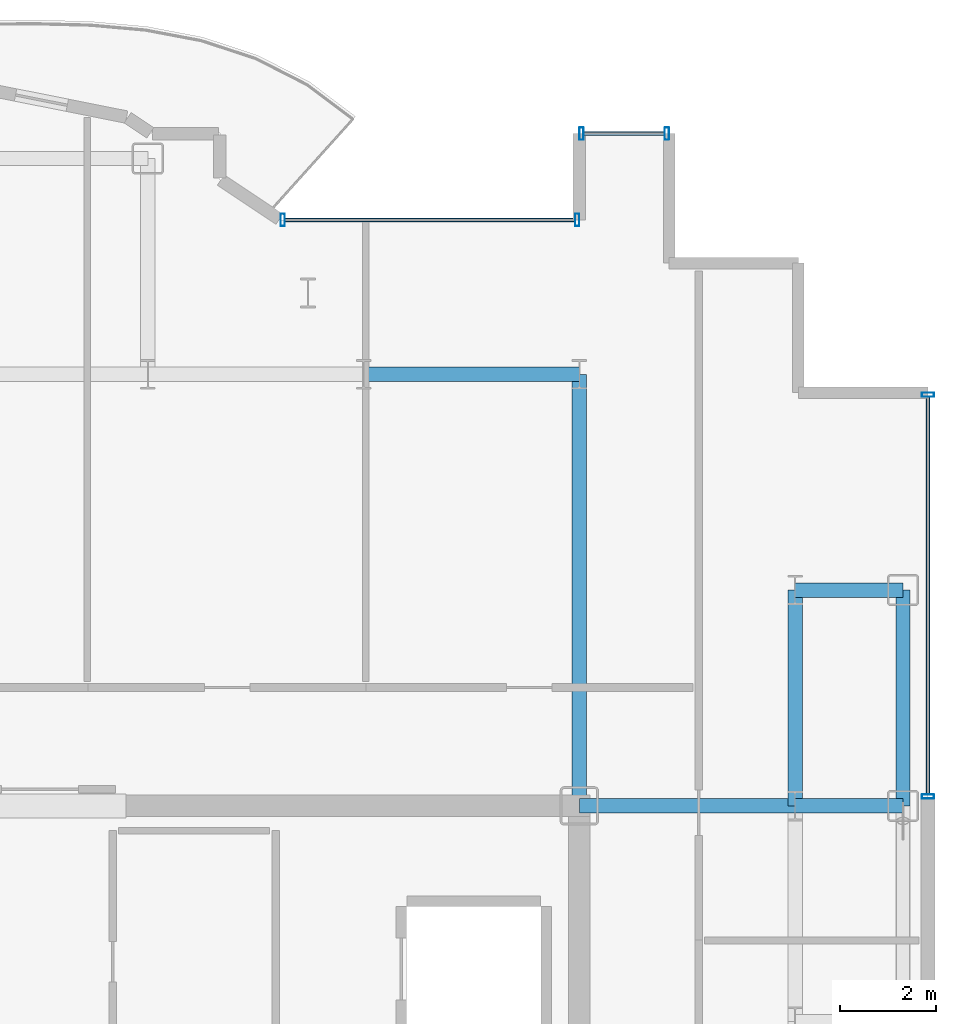
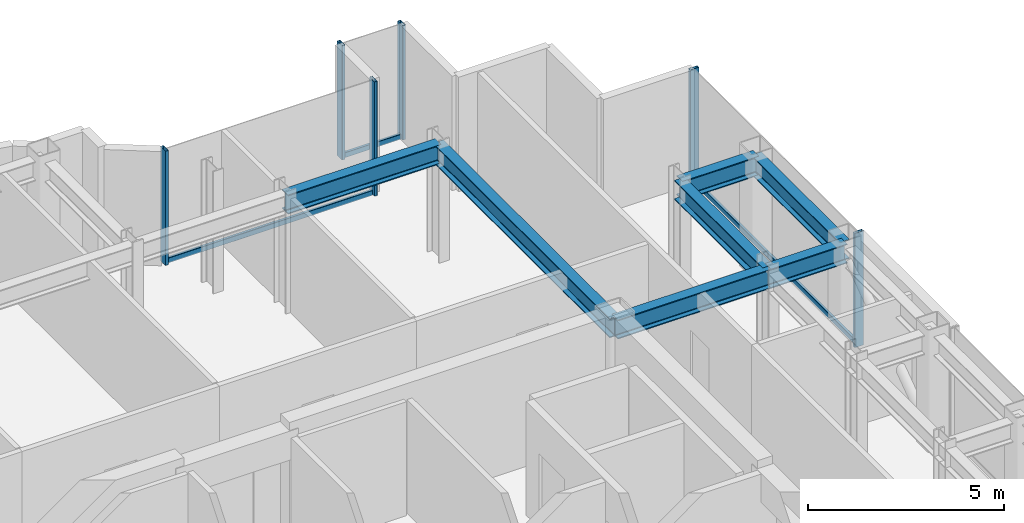
# One storey, part 9 of 16: 9 members, 7 beams, 3 elements without a shape of their own.
"""IFC4 building model written with IfcOpenShell, lengths in metres."""

from ifc_helpers import new_model, si_unit, direction, frame, origin, origin_2d, place, context, subcontext, project, spatial, hollow_rectangle, i_section, extrude, source, transform, mapped, material, layer, layer_set, material_profile, profile_set, type_object, element, aggregate, save


model = new_model("IFC4")

# Units and contexts
model_context = context("Model", 3, precision=1e-05, world=origin(), true_north=direction((0.0, 1.0)))
body_context = subcontext(model_context, "Body", "Model", "MODEL_VIEW")
ifc_project = project(units=[si_unit("LENGTHUNIT", "METRE"), si_unit("AREAUNIT", "SQUARE_METRE"), si_unit("VOLUMEUNIT", "CUBIC_METRE"), si_unit("PLANEANGLEUNIT", "RADIAN"), si_unit("MASSUNIT", "GRAM", prefix="KILO")], contexts=[model_context])

# Site, building, storey
site_placement = place(None, origin())
site = spatial("IfcSite", under=ifc_project, at=site_placement, CompositionType="ELEMENT")
building_placement = place(site_placement, origin())
building = spatial("IfcBuilding", under=site, at=building_placement, Name="Nefas-Gora Pilgrimage Tower", CompositionType="ELEMENT")
storey_placement = place(building_placement, frame((0.0, 0.0, 276.0)))
storey = spatial("IfcBuildingStorey", under=building, at=storey_placement, Name="L69", CompositionType="ELEMENT", Elevation=276.0)

# Beams
ifc_material_1 = material(Name="Steel S355", Category="steel")
ifc_material_profile_1 = material_profile(ifc_material_1, i_section(OverallWidth=0.300048828125, OverallDepth=0.60009765625, WebThickness=0.015380859375, FlangeThickness=0.030029296875, FilletRadius=0.027099609375, at=origin_2d()), Name="HEB 600")
ifc_profile_set_1 = profile_set([ifc_material_profile_1], Name="Steel S355")
beam_type_1 = type_object("IfcBeamType", Name="BM-SPN-HEB450", PredefinedType="SPANDREL", material=ifc_profile_set_1)
shared_shape_1 = source(origin(), body_context, "Body", "SweptSolid", [
    extrude(i_section(OverallWidth=0.300048828125, OverallDepth=0.60009765625, WebThickness=0.015380859375, FlangeThickness=0.030029296875, FilletRadius=0.027099609375, at=origin_2d()), origin(), (0.0, 0.0, 1.0), 4.5),
])
beam_1_placement = place(storey_placement, frame((18.0, 9.0, 3.25), z_axis=(0.0, 1.0, 0.0), x_axis=(-1.0, 0.0, 0.0)))
element("IfcBeam", 1, at=beam_1_placement, inside=storey, type_object=beam_type_1, Name="L69 SP-03 beam", PredefinedType="SPANDREL", context=body_context, shape_type="MappedRepresentation", body=[
    mapped(shared_shape_1, transform((0.0, 0.0, 0.0), x_axis=(1.0, 0.0, 0.0), y_axis=(0.0, 1.0, 0.0), z_axis=(0.0, 0.0, 1.0), scale=1.0)),
])
ifc_material_profile_2 = material_profile(ifc_material_1, i_section(OverallWidth=0.300048828125, OverallDepth=0.60009765625, WebThickness=0.015380859375, FlangeThickness=0.030029296875, FilletRadius=0.027099609375, at=origin_2d()), Name="HEB 600")
ifc_profile_set_2 = profile_set([ifc_material_profile_2], Name="Steel S355")
beam_type_2 = type_object("IfcBeamType", Name="BM-GIR-HEB600", PredefinedType="BEAM", material=ifc_profile_set_2)
shared_shape_2 = source(origin(), body_context, "Body", "SweptSolid", [
    extrude(i_section(OverallWidth=0.300048828125, OverallDepth=0.60009765625, WebThickness=0.015380859375, FlangeThickness=0.030029296875, FilletRadius=0.027099609375, at=origin_2d()), origin(), (0.0, 0.0, 1.0), 9.0),
])
beam_2_placement = place(storey_placement, frame((11.25, 9.0, 3.25), z_axis=(0.0, 1.0, 0.0), x_axis=(-1.0, 0.0, 0.0)))
element("IfcBeam", 2, at=beam_2_placement, inside=storey, type_object=beam_type_2, Name="L69 G-04 beam", PredefinedType="BEAM", context=body_context, shape_type="MappedRepresentation", body=[
    mapped(shared_shape_2, transform((0.0, 0.0, 0.0), x_axis=(1.0, 0.0, 0.0), y_axis=(0.0, 1.0, 0.0), z_axis=(0.0, 0.0, 1.0), scale=1.0)),
])
shared_shape_3 = source(origin(), body_context, "Body", "SweptSolid", [
    extrude(i_section(OverallWidth=0.300048828125, OverallDepth=0.60009765625, WebThickness=0.015380859375, FlangeThickness=0.030029296875, FilletRadius=0.027099609375, at=origin_2d()), origin(), (0.0, 0.0, 1.0), 4.5),
])
for number, where, z_axis, x_axis, name in (
    (3, (6.75, 18.0, 3.25), (1.0, 0.0, 0.0), (0.0, 1.0, 0.0), "L69 G-04 beam"),
    (4, (11.25, 9.0, 3.25), (1.0, 0.0, 0.0), (0.0, 1.0, 0.0), "L69 G-04 beam"),
    (5, (15.75, 9.0, 3.25), (0.0, 1.0, 0.0), (-1.0, 0.0, 0.0), "L69 G-04 beam"),
):
    element("IfcBeam", number, at=place(storey_placement, frame(where, z_axis=z_axis, x_axis=x_axis)), inside=storey, type_object=beam_type_2, Name=name, PredefinedType="BEAM", context=body_context, shape_type="MappedRepresentation", body=[
        mapped(shared_shape_3, transform((0.0, 0.0, 0.0), x_axis=(1.0, 0.0, 0.0), y_axis=(0.0, 1.0, 0.0), z_axis=(0.0, 0.0, 1.0), scale=1.0)),
    ])
shared_shape_4 = source(origin(), body_context, "Body", "SweptSolid", [
    extrude(i_section(OverallWidth=0.300048828125, OverallDepth=0.60009765625, WebThickness=0.015380859375, FlangeThickness=0.030029296875, FilletRadius=0.027099609375, at=origin_2d()), origin(), (0.0, 0.0, 1.0), 2.25),
])
for number, where, z_axis, x_axis, name in (
    (6, (15.75, 9.0, 3.25), (1.0, 0.0, 0.0), (0.0, 1.0, 0.0), "L69 G-04 beam"),
    (7, (15.75, 13.5, 3.25), (1.0, 0.0, 0.0), (0.0, 1.0, 0.0), "L69 G-04 beam"),
):
    element("IfcBeam", number, at=place(storey_placement, frame(where, z_axis=z_axis, x_axis=x_axis)), inside=storey, type_object=beam_type_2, Name=name, PredefinedType="BEAM", context=body_context, shape_type="MappedRepresentation", body=[
        mapped(shared_shape_4, transform((0.0, 0.0, 0.0), x_axis=(1.0, 0.0, 0.0), y_axis=(0.0, 1.0, 0.0), z_axis=(0.0, 0.0, 1.0), scale=1.0)),
    ])

# Curtain wall, members
ifc_material_2 = material(Name="Dark ceramic-fritted solar-control aluminium-glass curtain wall", Category="aluminium")
ifc_layer_1 = layer(ifc_material_2, 0.219970703125)
ifc_layer_set_1 = layer_set([ifc_layer_1], Name="Dark ceramic-fritted solar-control aluminium-glass curtain wall")
curtain_wall_type_1 = type_object("IfcCurtainWallType", Name="CW-SYS-5", PredefinedType="NOTDEFINED", material=ifc_layer_set_1)
curtain_wall_1_placement = place(storey_placement, origin())
curtain_wall_1 = element("IfcCurtainWall", 8, at=curtain_wall_1_placement, inside=storey, type_object=curtain_wall_type_1, Name="L69 Unitised Curtain Wall CW5", PredefinedType="NOTDEFINED")
ifc_material_3 = material(Name="Anodised architectural aluminium", Category="aluminium")
ifc_material_profile_3 = material_profile(ifc_material_3, hollow_rectangle(XDim=0.090087890625, YDim=0.260009765625, WallThickness=0.006103515625, InnerFilletRadius=0.006103515625, OuterFilletRadius=0.011962890625, at=origin_2d()), Name="ALU MULLION 90x260")
ifc_profile_set_3 = profile_set([ifc_material_profile_3], Name="Anodised architectural aluminium")
member_type_1 = type_object("IfcMemberType", Name="CWM-MUL-5", PredefinedType="MULLION", material=ifc_profile_set_3)
shared_shape_5 = source(origin(), body_context, "Body", "SweptSolid", [
    extrude(hollow_rectangle(XDim=0.090087890625, YDim=0.260009765625, WallThickness=0.006103515625, InnerFilletRadius=0.006103515625, OuterFilletRadius=0.011962890625, at=origin_2d()), origin(), (0.0, 0.0, 1.0), 3.550048828125),
])
member_1_placement = place(storey_placement, frame((11.205078125, 21.219970703125, 0.0), z_axis=(0.0, 0.0, 1.0), x_axis=(-1.0, 0.0, 0.0)))
member_1 = element("IfcMember", 9, at=member_1_placement, type_object=member_type_1, Name="CW5 Mullion 1", PredefinedType="MULLION", context=body_context, shape_type="MappedRepresentation", body=[
    mapped(shared_shape_5, transform((0.0, 0.0, 0.0), x_axis=(1.0, 0.0, 0.0), y_axis=(0.0, 1.0, 0.0), z_axis=(0.0, 0.0, 1.0), scale=1.0)),
])
member_2_placement = place(storey_placement, frame((5.06298828125, 21.219970703125, 0.0), z_axis=(0.0, 0.0, 1.0), x_axis=(-1.0, 0.0, 0.0)))
member_2 = element("IfcMember", 10, at=member_2_placement, type_object=member_type_1, Name="CW5 Mullion 2", PredefinedType="MULLION", context=body_context, shape_type="MappedRepresentation", body=[
    mapped(shared_shape_5, transform((0.0, 0.0, 0.0), x_axis=(1.0, 0.0, 0.0), y_axis=(0.0, 1.0, 0.0), z_axis=(0.0, 0.0, 1.0), scale=1.0)),
])
ifc_material_profile_4 = material_profile(ifc_material_3, hollow_rectangle(XDim=0.080078125, YDim=0.159912109375, WallThickness=0.00439453125, InnerFilletRadius=0.00439453125, OuterFilletRadius=0.009033203125, at=origin_2d()), Name="ALU TRANSOM 80x160")
ifc_profile_set_4 = profile_set([ifc_material_profile_4], Name="Anodised architectural aluminium")
member_type_2 = type_object("IfcMemberType", Name="CWM-TRN-5", PredefinedType="USERDEFINED", material=ifc_profile_set_4)
shared_shape_6 = source(origin(), body_context, "Body", "SweptSolid", [
    extrude(hollow_rectangle(XDim=0.080078125, YDim=0.159912109375, WallThickness=0.00439453125, InnerFilletRadius=0.00439453125, OuterFilletRadius=0.009033203125, at=origin_2d()), origin(), (0.0, 0.0, 1.0), 6.052001953125),
])
member_3_placement = place(storey_placement, frame((11.159912109375, 21.219970703125, 0.050048828125), z_axis=(-1.0, 0.0, 0.0), x_axis=(0.0, -1.0, 0.0)))
member_3 = element("IfcMember", 11, at=member_3_placement, type_object=member_type_2, Name="CW5 Spandrel Transom", ObjectType="TRANSOM", PredefinedType="USERDEFINED", context=body_context, shape_type="MappedRepresentation", body=[
    mapped(shared_shape_6, transform((0.0, 0.0, 0.0), x_axis=(1.0, 0.0, 0.0), y_axis=(0.0, 1.0, 0.0), z_axis=(0.0, 0.0, 1.0), scale=1.0)),
])
aggregate(curtain_wall_1, [member_1, member_2, member_3])

# Curtain wall, member
ifc_layer_2 = layer(ifc_material_2, 0.219970703125)
ifc_layer_set_2 = layer_set([ifc_layer_2], Name="Dark ceramic-fritted solar-control aluminium-glass curtain wall")
curtain_wall_type_2 = type_object("IfcCurtainWallType", Name="CW-SYS-4", PredefinedType="NOTDEFINED", material=ifc_layer_set_2)
curtain_wall_2_placement = place(storey_placement, origin())
curtain_wall_2 = element("IfcCurtainWall", 12, at=curtain_wall_2_placement, inside=storey, type_object=curtain_wall_type_2, Name="L69 Unitised Curtain Wall CW4", PredefinedType="NOTDEFINED")
ifc_material_profile_5 = material_profile(ifc_material_3, hollow_rectangle(XDim=0.080078125, YDim=0.159912109375, WallThickness=0.00439453125, InnerFilletRadius=0.00439453125, OuterFilletRadius=0.009033203125, at=origin_2d()), Name="ALU TRANSOM 80x160")
ifc_profile_set_5 = profile_set([ifc_material_profile_5], Name="Anodised architectural aluminium")
member_type_3 = type_object("IfcMemberType", Name="CWM-TRN-4", PredefinedType="USERDEFINED", material=ifc_profile_set_5)
shared_shape_7 = source(origin(), body_context, "Body", "SweptSolid", [
    extrude(hollow_rectangle(XDim=0.080078125, YDim=0.159912109375, WallThickness=0.00439453125, InnerFilletRadius=0.00439453125, OuterFilletRadius=0.009033203125, at=origin_2d()), origin(), (0.0, 0.0, 1.0), 8.2900390625),
])
member_4_placement = place(storey_placement, frame((18.52001953125, 9.239990234375, 0.050048828125), z_axis=(0.0, 1.0, 0.0), x_axis=(-1.0, 0.0, 0.0)))
member_4 = element("IfcMember", 13, at=member_4_placement, type_object=member_type_3, Name="CW4 Spandrel Transom", ObjectType="TRANSOM", PredefinedType="USERDEFINED", context=body_context, shape_type="MappedRepresentation", body=[
    mapped(shared_shape_7, transform((0.0, 0.0, 0.0), x_axis=(1.0, 0.0, 0.0), y_axis=(0.0, 1.0, 0.0), z_axis=(0.0, 0.0, 1.0), scale=1.0)),
])

curtain_wall_3_placement = place(storey_placement, origin())
curtain_wall_3 = element("IfcCurtainWall", 14, at=curtain_wall_3_placement, inside=storey, type_object=curtain_wall_type_2, Name="L69 Unitised Curtain Wall CW4", PredefinedType="NOTDEFINED")
shared_shape_8 = source(origin(), body_context, "Body", "SweptSolid", [
    extrude(hollow_rectangle(XDim=0.080078125, YDim=0.159912109375, WallThickness=0.00439453125, InnerFilletRadius=0.00439453125, OuterFilletRadius=0.009033203125, at=origin_2d()), origin(), (0.0, 0.0, 1.0), 1.68994140625),
])
member_5_placement = place(storey_placement, frame((13.030029296875, 23.02001953125, 0.050048828125), z_axis=(-1.0, 0.0, 0.0), x_axis=(0.0, -1.0, 0.0)))
member_5 = element("IfcMember", 15, at=member_5_placement, type_object=member_type_3, Name="CW4 Spandrel Transom", ObjectType="TRANSOM", PredefinedType="USERDEFINED", context=body_context, shape_type="MappedRepresentation", body=[
    mapped(shared_shape_8, transform((0.0, 0.0, 0.0), x_axis=(1.0, 0.0, 0.0), y_axis=(0.0, 1.0, 0.0), z_axis=(0.0, 0.0, 1.0), scale=1.0)),
])

# Member
ifc_material_profile_6 = material_profile(ifc_material_3, hollow_rectangle(XDim=0.090087890625, YDim=0.260009765625, WallThickness=0.006103515625, InnerFilletRadius=0.006103515625, OuterFilletRadius=0.011962890625, at=origin_2d()), Name="ALU MULLION 90x260")
ifc_profile_set_6 = profile_set([ifc_material_profile_6], Name="Anodised architectural aluminium")
member_type_4 = type_object("IfcMemberType", Name="CWM-MUL-4", PredefinedType="MULLION", material=ifc_profile_set_6)
shared_shape_9 = source(origin(), body_context, "Body", "SweptSolid", [
    extrude(hollow_rectangle(XDim=0.090087890625, YDim=0.260009765625, WallThickness=0.006103515625, InnerFilletRadius=0.006103515625, OuterFilletRadius=0.011962890625, at=origin_2d()), origin(), (0.0, 0.0, 1.0), 3.550048828125),
])
member_6_placement = place(storey_placement, frame((18.52001953125, 9.195068359375, 0.0), z_axis=(0.0, 0.0, 1.0), x_axis=(0.0, 1.0, 0.0)))
member_6 = element("IfcMember", 16, at=member_6_placement, type_object=member_type_4, Name="CW4 Mullion 1", PredefinedType="MULLION", context=body_context, shape_type="MappedRepresentation", body=[
    mapped(shared_shape_9, transform((0.0, 0.0, 0.0), x_axis=(1.0, 0.0, 0.0), y_axis=(0.0, 1.0, 0.0), z_axis=(0.0, 0.0, 1.0), scale=1.0)),
])

member_7_placement = place(storey_placement, frame((18.52001953125, 17.574951171875, 0.0), z_axis=(0.0, 0.0, 1.0), x_axis=(0.0, 1.0, 0.0)))
member_7 = element("IfcMember", 17, at=member_7_placement, type_object=member_type_4, Name="CW4 Mullion 2", PredefinedType="MULLION", context=body_context, shape_type="MappedRepresentation", body=[
    mapped(shared_shape_9, transform((0.0, 0.0, 0.0), x_axis=(1.0, 0.0, 0.0), y_axis=(0.0, 1.0, 0.0), z_axis=(0.0, 0.0, 1.0), scale=1.0)),
])

aggregate(curtain_wall_2, [member_6, member_7, member_4])

member_8_placement = place(storey_placement, frame((13.074951171875, 23.02001953125, 0.0), z_axis=(0.0, 0.0, 1.0), x_axis=(-1.0, 0.0, 0.0)))
member_8 = element("IfcMember", 18, at=member_8_placement, type_object=member_type_4, Name="CW4 Mullion 1", PredefinedType="MULLION", context=body_context, shape_type="MappedRepresentation", body=[
    mapped(shared_shape_9, transform((0.0, 0.0, 0.0), x_axis=(1.0, 0.0, 0.0), y_axis=(0.0, 1.0, 0.0), z_axis=(0.0, 0.0, 1.0), scale=1.0)),
])

member_9_placement = place(storey_placement, frame((11.294921875, 23.02001953125, 0.0), z_axis=(0.0, 0.0, 1.0), x_axis=(-1.0, 0.0, 0.0)))
member_9 = element("IfcMember", 19, at=member_9_placement, type_object=member_type_4, Name="CW4 Mullion 2", PredefinedType="MULLION", context=body_context, shape_type="MappedRepresentation", body=[
    mapped(shared_shape_9, transform((0.0, 0.0, 0.0), x_axis=(1.0, 0.0, 0.0), y_axis=(0.0, 1.0, 0.0), z_axis=(0.0, 0.0, 1.0), scale=1.0)),
])

aggregate(curtain_wall_3, [member_8, member_9, member_5])

save(model, "model.ifc")
